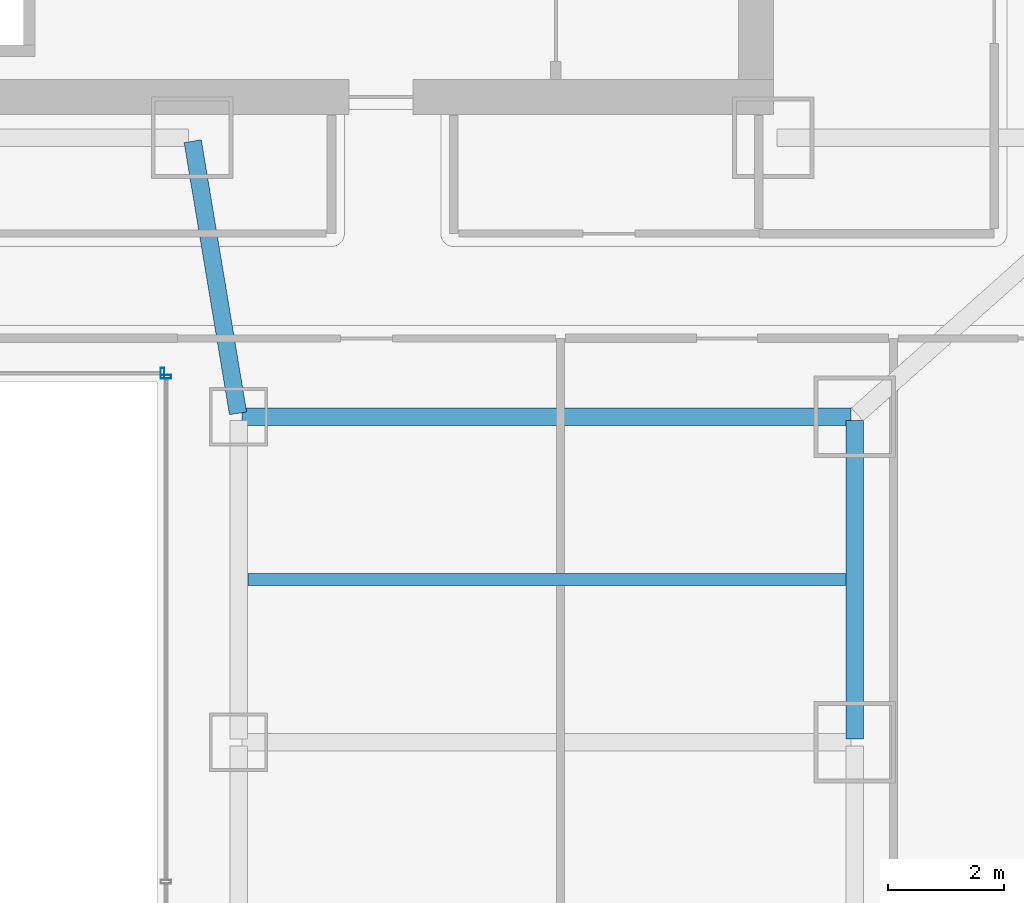
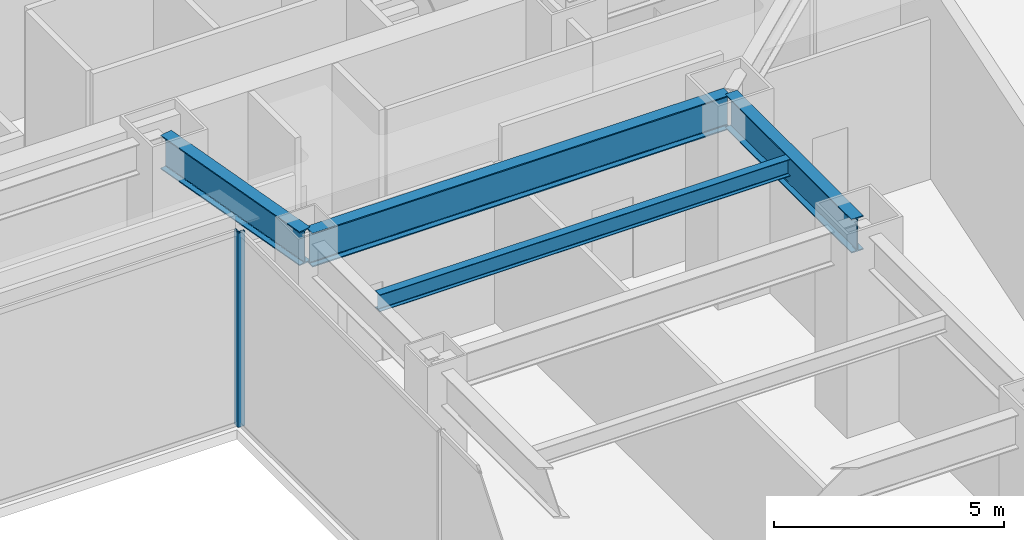
# One storey, part 16 of 29: 4 beams, 2 members, 2 elements without a shape of their own.
"""IFC4 building model written with IfcOpenShell, lengths in metres."""

import ifcopenshell
import ifcopenshell.guid

model = None  # the IFC model being written
_history = None  # IfcOwnerHistory: only IFC2X3 demands one
_inside = {}  # id of a spatial element -> (the spatial element, [elements in it])
_under = {}  # id of a project, library or spatial element -> (it, [spatial elements below it])
_declared = {}  # id of a project -> (the project, [libraries it declares])
_typed = {}  # id of a type object -> (the type object, [elements of that type])
_made_of = {}  # id of a material, layer set ... -> (it, [elements and type objects made of it])


def new_model(schema):
    """Start an empty IFC model of exactly this schema.

    Asked for "IFC4X3", IfcOpenShell would pick the latest addendum, in which some entities
    have other attributes; the version numbers below select the first issue.
    IFC2X3 requires an IfcOwnerHistory on every rooted entity: one is made here for all.
    """
    global model, _history
    if schema == "IFC4X3":
        model = ifcopenshell.file(schema_version=(4, 3, 0, 0))
    else:
        model = ifcopenshell.file(schema=schema)
    _inside.clear()
    _under.clear()
    _declared.clear()
    _typed.clear()
    _made_of.clear()
    _history = None
    if model.schema == "IFC2X3":
        org = make("IfcOrganization", Name="unknown")
        user = make(
            "IfcPersonAndOrganization",
            ThePerson=make("IfcPerson", FamilyName="unknown"),
            TheOrganization=org,
        )
        app = make(
            "IfcApplication",
            ApplicationDeveloper=org,
            Version="unknown",
            ApplicationFullName="unknown",
            ApplicationIdentifier="unknown",
        )
        _history = make(
            "IfcOwnerHistory",
            OwningUser=user,
            OwningApplication=app,
            ChangeAction="ADDED",
            CreationDate=0,
        )
    return model


def make(cls, **values):
    """One entity of the class cls with the attributes given. An attribute that is None is left unset."""
    return model.create_entity(
        cls, **{name: value for name, value in values.items() if value is not None}
    )


def rooted(cls, **values):
    """An entity with a GlobalId (a new one), such as an element, a storey or a relation."""
    return make(cls, GlobalId=ifcopenshell.guid.new(), OwnerHistory=_history, **values)


def si_unit(unit_type, name, prefix=None):
    """IfcSIUnit, for example si_unit("LENGTHUNIT", "METRE", prefix="MILLI")."""
    return make("IfcSIUnit", UnitType=unit_type, Prefix=prefix, Name=name)


def assignment(units):
    """IfcUnitAssignment: the units of a project."""
    return None if units is None else make("IfcUnitAssignment", Units=units)


def point(xyz):
    """IfcCartesianPoint."""
    return None if xyz is None else make("IfcCartesianPoint", Coordinates=xyz)


def direction(xyz):
    """IfcDirection."""
    return None if xyz is None else make("IfcDirection", DirectionRatios=xyz)


def frame(location, z_axis=None, x_axis=None):
    """IfcAxis2Placement3D, a coordinate frame: its origin and axes. An axis left out is left unset."""
    return make(
        "IfcAxis2Placement3D",
        Location=point(location),
        Axis=direction(z_axis),
        RefDirection=direction(x_axis),
    )


def frame_2d(location, x_axis=None):
    """IfcAxis2Placement2D, a coordinate frame in the plane: its origin and x axis."""
    return make(
        "IfcAxis2Placement2D", Location=point(location), RefDirection=direction(x_axis)
    )


def origin():
    """The frame at (0, 0, 0) with its axes left unset."""
    return frame((0.0, 0.0, 0.0))


def origin_2d():
    """The frame at (0, 0) in the plane with its x axis left unset."""
    return frame_2d((0.0, 0.0))


def place(relative_to, where):
    """IfcLocalPlacement: puts the frame where relative to a parent placement (None: the world)."""
    return make(
        "IfcLocalPlacement", PlacementRelTo=relative_to, RelativePlacement=where
    )


def context(
    kind, dimensions, precision=None, world=None, true_north=None, identifier=None
):
    """IfcGeometricRepresentationContext, for example the 3D "Model" context."""
    return make(
        "IfcGeometricRepresentationContext",
        ContextIdentifier=identifier,
        ContextType=kind,
        CoordinateSpaceDimension=dimensions,
        Precision=precision,
        WorldCoordinateSystem=world,
        TrueNorth=true_north,
    )


def subcontext(parent, identifier, kind, view, scale=None):
    """IfcGeometricRepresentationSubContext, for example "Body" below "Model"."""
    return make(
        "IfcGeometricRepresentationSubContext",
        ContextIdentifier=identifier,
        ContextType=kind,
        ParentContext=parent,
        TargetScale=scale,
        TargetView=view,
    )


def project(units=None, contexts=None):
    """IfcProject with its units and contexts."""
    return rooted(
        "IfcProject",
        Name="project",
        RepresentationContexts=contexts,
        UnitsInContext=assignment(units),
    )


def spatial(cls, under=None, at=None, **own):
    """A site, building, storey or space (cls), placed at a placement, below another one or the project."""
    s = rooted(cls, ObjectPlacement=at, **own)
    if under is not None:
        _under.setdefault(under.id(), (under, []))[1].append(s)
    return s


def profile(cls, at=None, kind="AREA", **sizes):
    """A parametric profile (cls). Its sizes go by their IFC names, for example OverallWidth=200.0."""
    return make(cls, ProfileType=kind, Position=at, **sizes)


def hollow_rectangle(**sizes):
    """IfcRectangleHollowProfileDef."""
    return profile("IfcRectangleHollowProfileDef", **sizes)


def i_section(**sizes):
    """IfcIShapeProfileDef."""
    return profile("IfcIShapeProfileDef", **sizes)


def extrude(swept, where, along, depth):
    """IfcExtrudedAreaSolid: the profile swept, set in the frame where, extruded along a direction by depth."""
    return make(
        "IfcExtrudedAreaSolid",
        SweptArea=swept,
        Position=where,
        ExtrudedDirection=direction(along),
        Depth=depth,
    )


def shape(context_of_items, identifier, shape_type, items):
    """IfcShapeRepresentation: the items that make up one representation, for example the "Body"."""
    return make(
        "IfcShapeRepresentation",
        ContextOfItems=context_of_items,
        RepresentationIdentifier=identifier,
        RepresentationType=shape_type,
        Items=items,
    )


def material(Name=None, Category=None):
    """IfcMaterial."""
    return make("IfcMaterial", Name=Name, Category=Category)


def material_profile(
    of_material, cross_section, Name=None, Category=None, Priority=None
):
    """IfcMaterialProfile: a cross section and its material."""
    return make(
        "IfcMaterialProfile",
        Name=Name,
        Material=of_material,
        Profile=cross_section,
        Priority=Priority,
        Category=Category,
    )


def profile_set(profiles, Name=None, composite=None):
    """IfcMaterialProfileSet."""
    return make(
        "IfcMaterialProfileSet",
        Name=Name,
        MaterialProfiles=profiles,
        CompositeProfile=composite,
    )


def made_of(thing, what):
    """Note that an element or type object is made of a material, layer set ...; save() writes the relation."""
    if what is not None:
        _made_of.setdefault(what.id(), (what, []))[1].append(thing)
    return thing


def type_object(cls, material=None, **own):
    """A type object (cls), such as IfcWallType, which elements share."""
    return made_of(rooted(cls, **own), material)


def element(
    cls,
    number,
    at=None,
    inside=None,
    cuts=None,
    type_object=None,
    material=None,
    context=None,
    identifier="Body",
    shape_type=None,
    held_by="IfcProductDefinitionShape",
    body=None,
    shapes=None,
    **own,
):
    """One element of the class cls, such as IfcWall. Its Tag is "e" and its number.

    at: its placement. inside: the storey or other place that contains it. cuts: it is an
    opening in that element (IfcRelVoidsElement). A single representation is given by context,
    identifier, shape_type and body (its items); several are given by shapes. held_by: the class
    of the entity that holds the representations. save() writes the other relations.
    """
    e = rooted(cls, Tag="e%d" % number, ObjectPlacement=at, **own)
    if body is not None:
        shapes = [shape(context, identifier, shape_type, body)]
    if shapes is not None:
        e.Representation = make(held_by, Representations=shapes)
    if inside is not None:
        _inside.setdefault(inside.id(), (inside, []))[1].append(e)
    if cuts is not None:
        rooted(
            "IfcRelVoidsElement", RelatingBuildingElement=cuts, RelatedOpeningElement=e
        )
    if type_object is not None:
        _typed.setdefault(type_object.id(), (type_object, []))[1].append(e)
    return made_of(e, material)


def aggregate(whole, parts):
    """IfcRelAggregates: a whole, such as a stair, and the parts it consists of."""
    return rooted("IfcRelAggregates", RelatingObject=whole, RelatedObjects=parts)


def save(model, path):
    """Write the relations noted so far, then the file.

    IfcRelAggregates (storeys below a building ...), IfcRelContainedInSpatialStructure (elements
    in a storey), IfcRelDefinesByType, IfcRelAssociatesMaterial and IfcRelDeclares: one each for
    every whole, place, type object, material and project.
    """
    for whole, parts in _under.values():
        aggregate(whole, parts)
    for where, things in _inside.values():
        rooted(
            "IfcRelContainedInSpatialStructure",
            RelatedElements=things,
            RelatingStructure=where,
        )
    for kind, things in _typed.values():
        rooted("IfcRelDefinesByType", RelatedObjects=things, RelatingType=kind)
    for what, things in _made_of.values():
        rooted("IfcRelAssociatesMaterial", RelatedObjects=things, RelatingMaterial=what)
    for by, libraries in _declared.values():
        rooted("IfcRelDeclares", RelatingContext=by, RelatedDefinitions=libraries)
    model.write(path)


model = new_model("IFC4")

# Units and contexts
model_context = context("Model", 3, precision=1e-05, world=origin(), true_north=direction((0.0, 1.0)))
body_context = subcontext(model_context, "Body", "Model", "MODEL_VIEW")
ifc_project = project(units=[si_unit("LENGTHUNIT", "METRE"), si_unit("AREAUNIT", "SQUARE_METRE"), si_unit("VOLUMEUNIT", "CUBIC_METRE"), si_unit("PLANEANGLEUNIT", "RADIAN"), si_unit("MASSUNIT", "GRAM", prefix="KILO")], contexts=[model_context])

# Site, building, storey
site_placement = place(None, origin())
site = spatial("IfcSite", under=ifc_project, at=site_placement, CompositionType="ELEMENT")
building_placement = place(site_placement, origin())
building = spatial("IfcBuilding", under=site, at=building_placement, Name="Saevonmaru Cultural Tower", CompositionType="ELEMENT")
storey_placement = place(building_placement, frame((0.0, 0.0, 27.60009765625)))
storey = spatial("IfcBuildingStorey", under=building, at=storey_placement, Name="L05", CompositionType="ELEMENT", Elevation=27.60009765625)

# Beams
ifc_material_1 = material(Name="Steel SM420", Category="steel")
ifc_material_profile_1 = material_profile(ifc_material_1, i_section(OverallWidth=0.300048828125, OverallDepth=0.89990234375, WebThickness=0.01611328125, FlangeThickness=0.028076171875, FilletRadius=0.028076171875, at=origin_2d()), Name="H-900x300x16x28")
ifc_profile_set_1 = profile_set([ifc_material_profile_1], Name="Steel SM420")
beam_type_1 = type_object("IfcBeamType", Name="BM-G-H900", PredefinedType="BEAM", material=ifc_profile_set_1)
beam_1_placement = place(storey_placement, frame((37.190185546875, 37.6591796875, 4.699951171875), z_axis=(-0.164398987305, 0.986393923832, 0.0), x_axis=(-0.986393923832, -0.164398987305, 0.0)))
element("IfcBeam", 1, at=beam_1_placement, inside=storey, type_object=beam_type_1, Name="L05 Podium Girder NS3-6", PredefinedType="BEAM", context=body_context, shape_type="SweptSolid", body=[
    extrude(i_section(OverallWidth=0.300048828125, OverallDepth=0.89990234375, WebThickness=0.01611328125, FlangeThickness=0.028076171875, FilletRadius=0.028076171875, at=origin_2d()), origin(), (0.0, 0.0, 1.0), 4.746337890625),
])
beam_2_placement = place(storey_placement, frame((47.800048828125, 32.06005859375, 4.699951171875), z_axis=(0.0, 1.0, 0.0), x_axis=(-1.0, 0.0, 0.0)))
element("IfcBeam", 2, at=beam_2_placement, inside=storey, type_object=beam_type_1, Name="L05 Podium Girder NS4-5", PredefinedType="BEAM", context=body_context, shape_type="SweptSolid", body=[
    extrude(i_section(OverallWidth=0.300048828125, OverallDepth=0.89990234375, WebThickness=0.01611328125, FlangeThickness=0.028076171875, FilletRadius=0.028076171875, at=origin_2d()), origin(), (0.0, 0.0, 1.0), 5.47998046875),
])
beam_3_placement = place(storey_placement, frame((37.260009765625, 37.60009765625, 4.699951171875), z_axis=(1.0, 0.0, 0.0), x_axis=(0.0, 1.0, 0.0)))
element("IfcBeam", 3, at=beam_3_placement, inside=storey, type_object=beam_type_1, Name="L05 Gallery Girder E-5", PredefinedType="BEAM", context=body_context, shape_type="SweptSolid", body=[
    extrude(i_section(OverallWidth=0.300048828125, OverallDepth=0.89990234375, WebThickness=0.01611328125, FlangeThickness=0.028076171875, FilletRadius=0.028076171875, at=origin_2d()), origin(), (0.0, 0.0, 1.0), 10.47998046875),
])
ifc_material_2 = material(Name="Steel SM355", Category="steel")
ifc_material_profile_2 = material_profile(ifc_material_2, i_section(OverallWidth=0.199951171875, OverallDepth=0.449951171875, WebThickness=0.009033203125, FlangeThickness=0.013916015625, FilletRadius=0.01806640625, at=origin_2d()), Name="H-450x200x9x14")
ifc_profile_set_2 = profile_set([ifc_material_profile_2], Name="Steel SM355")
beam_type_2 = type_object("IfcBeamType", Name="BM-J-H450", PredefinedType="JOIST", material=ifc_profile_set_2)
beam_4_placement = place(storey_placement, frame((37.35791015625, 34.800048828125, 4.9248046875), z_axis=(1.0, 0.0, 0.0), x_axis=(0.0, 1.0, 0.0)))
element("IfcBeam", 4, at=beam_4_placement, inside=storey, type_object=beam_type_2, Name="L05 Secondary Floor Joist JE-4", PredefinedType="JOIST", context=body_context, shape_type="SweptSolid", body=[
    extrude(i_section(OverallWidth=0.199951171875, OverallDepth=0.449951171875, WebThickness=0.009033203125, FlangeThickness=0.013916015625, FilletRadius=0.01806640625, at=origin_2d()), origin(), (0.0, 0.0, 1.0), 10.2841796875),
])

# Curtain wall, member
ifc_material_3 = material(Name="Satin Bronze Anodised Aluminium", Category="aluminium")
curtain_wall_type = type_object("IfcCurtainWallType", Name="CW-ATR-GLZ", PredefinedType="NOTDEFINED", material=ifc_material_3)
curtain_wall_1_placement = place(storey_placement, origin())
curtain_wall_1 = element("IfcCurtainWall", 5, at=curtain_wall_1_placement, inside=storey, type_object=curtain_wall_type, Name="L05 Vertical Atrium Glazed Smoke Screen 2", PredefinedType="NOTDEFINED")
ifc_material_profile_3 = material_profile(ifc_material_3, hollow_rectangle(XDim=0.06494140625, YDim=0.179931640625, WallThickness=0.00390625, at=origin_2d()), Name="ALU-MULL-180x65x4")
ifc_profile_set_3 = profile_set([ifc_material_profile_3], Name="Satin Bronze Anodised Aluminium")
member_type = type_object("IfcMemberType", Name="ML-CW-INT-180x65", PredefinedType="MULLION", material=ifc_profile_set_3)
member_1_placement = place(storey_placement, frame((35.949951171875, 38.2900390625, 0.0), z_axis=(0.0, 0.0, 1.0), x_axis=(0.0, 1.0, 0.0)))
member_1 = element("IfcMember", 6, at=member_1_placement, type_object=member_type, Name="CW-ATR-L05-2 mullion 3", PredefinedType="MULLION", context=body_context, shape_type="SweptSolid", body=[
    extrude(hollow_rectangle(XDim=0.06494140625, YDim=0.179931640625, WallThickness=0.00390625, at=origin_2d()), origin(), (0.0, 0.0, 1.0), 5.14990234375),
])
aggregate(curtain_wall_1, [member_1])

curtain_wall_2_placement = place(storey_placement, origin())
curtain_wall_2 = element("IfcCurtainWall", 7, at=curtain_wall_2_placement, inside=storey, type_object=curtain_wall_type, Name="L05 Vertical Atrium Glazed Smoke Screen 3", PredefinedType="NOTDEFINED")
member_2_placement = place(storey_placement, frame((35.889892578125, 38.35009765625, 0.0), z_axis=(0.0, 0.0, 1.0), x_axis=(-1.0, 0.0, 0.0)))
member_2 = element("IfcMember", 8, at=member_2_placement, type_object=member_type, Name="CW-ATR-L05-3 mullion 1", PredefinedType="MULLION", context=body_context, shape_type="SweptSolid", body=[
    extrude(hollow_rectangle(XDim=0.06494140625, YDim=0.179931640625, WallThickness=0.00390625, at=origin_2d()), origin(), (0.0, 0.0, 1.0), 5.14990234375),
])
aggregate(curtain_wall_2, [member_2])

save(model, "model.ifc")
